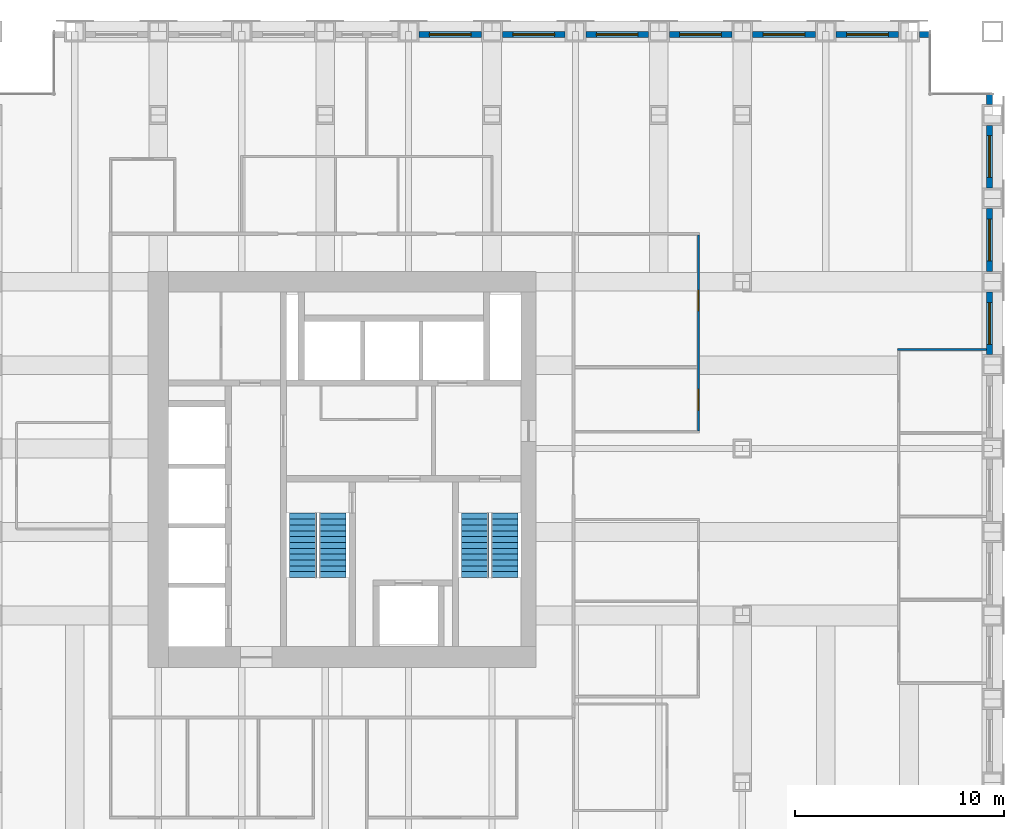
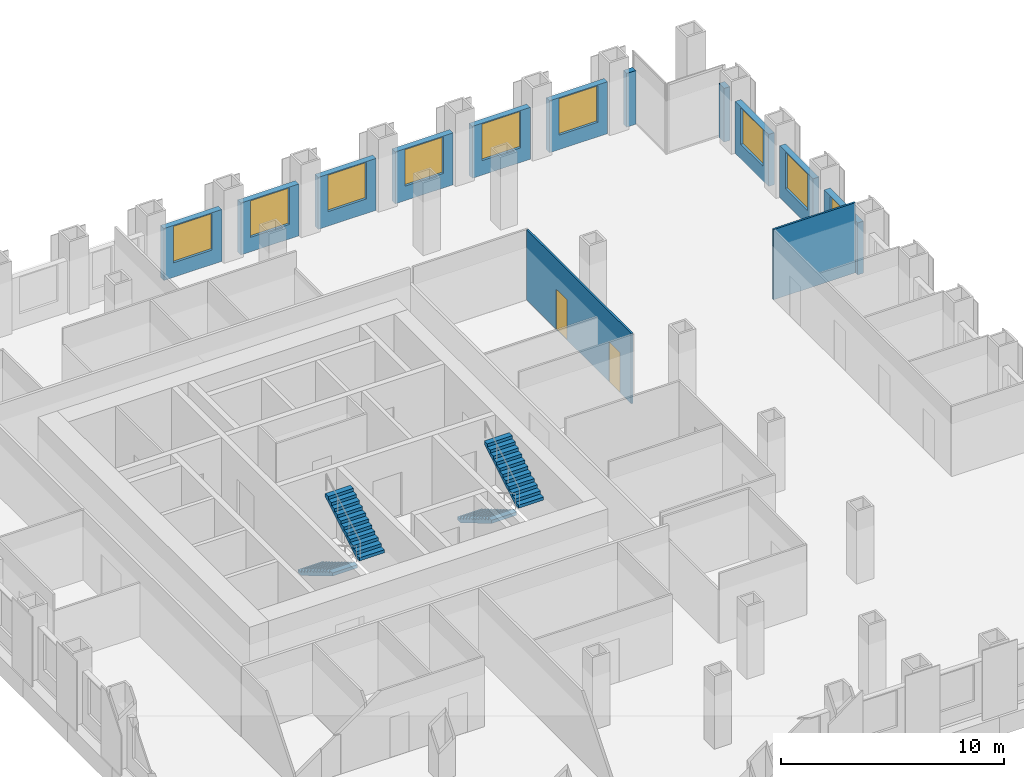
# One storey, part 14 of 16: 13 walls, 9 windows, 4 stair flights, 2 doors, 11 openings, 2 elements without a shape of their own.
"""IFC4 building model written with IfcOpenShell, lengths in metres."""

from ifc_helpers import new_model, si_unit, direction, frame, frame_2d, origin, place, context, subcontext, project, spatial, polyline, rectangle, outline, extrude, material, layer, layer_set, type_object, element, fill, aggregate, save


model = new_model("IFC4")

# Units and contexts
model_context = context("Model", 3, precision=1e-05, world=origin(), true_north=direction((0.0, 1.0)))
body_context = subcontext(model_context, "Body", "Model", "MODEL_VIEW")
ifc_project = project(units=[si_unit("LENGTHUNIT", "METRE"), si_unit("AREAUNIT", "SQUARE_METRE"), si_unit("VOLUMEUNIT", "CUBIC_METRE"), si_unit("PLANEANGLEUNIT", "RADIAN"), si_unit("MASSUNIT", "GRAM", prefix="KILO")], contexts=[model_context])

# Site, building, storey
site_placement = place(None, origin())
site = spatial("IfcSite", under=ifc_project, at=site_placement, CompositionType="ELEMENT")
building_placement = place(site_placement, origin())
building = spatial("IfcBuilding", under=site, at=building_placement, Name="Rimbunsela Tower", CompositionType="ELEMENT")
storey_placement = place(building_placement, frame((0.0, 0.0, 89.39990234375)))
storey = spatial("IfcBuildingStorey", under=building, at=storey_placement, Name="L21", CompositionType="ELEMENT", Elevation=89.39990234375)

# Wall
ifc_material_1 = material(Name="Gypsum board on steel studs", Category="steel")
ifc_layer_1 = layer(ifc_material_1, 0.10009765625)
ifc_layer_set_1 = layer_set([ifc_layer_1], Name="Office partition 100")
wall_type_1 = type_object("IfcWallType", Name="Office partition 100", PredefinedType="PARTITIONING", material=ifc_layer_set_1)
wall_1_placement = place(storey_placement, frame((53.449951171875, 32.75, 0.0), z_axis=(0.0, 0.0, 1.0), x_axis=(1.0, 0.0, 0.0)))
element("IfcWall", 1, at=wall_1_placement, inside=storey, type_object=wall_type_1, Name="Office partition", PredefinedType="PARTITIONING", context=body_context, shape_type="SweptSolid", body=[
    extrude(rectangle(XDim=4.25, YDim=0.10009765625, at=frame_2d((2.125, 0.0))), origin(), (0.0, 0.0, 1.0), 3.85009765625),
])

# Wall, openings, doors
wall_2_placement = place(storey_placement, frame((43.89990234375, 28.85009765625, 0.0), z_axis=(0.0, 0.0, 1.0), x_axis=(0.0, 1.0, 0.0)))
wall_2 = element("IfcWall", 2, at=wall_2_placement, inside=storey, type_object=wall_type_1, Name="Office partition", PredefinedType="PARTITIONING", context=body_context, shape_type="SweptSolid", body=[
    extrude(rectangle(XDim=9.39990234375, YDim=0.10009765625, at=frame_2d((4.699951171875, 0.0))), origin(), (0.0, 0.0, 1.0), 3.85009765625),
])
opening_1_placement = place(wall_2_placement, frame((1.0, 0.0, 0.0)))
opening_1 = element("IfcOpeningElement", 3, at=opening_1_placement, cuts=wall_2, Name="Opening D16", PredefinedType="OPENING", context=body_context, shape_type="SweptSolid", body=[
    extrude(rectangle(XDim=1.0, YDim=2.199951171875, at=frame_2d((0.5, 1.10009765625))), frame((0.0, 0.06005859375, 0.0), z_axis=(0.0, -1.0, 0.0), x_axis=(1.0, 0.0, 0.0)), (0.0, 0.0, 1.0), 0.1201171875),
])
opening_2_placement = place(wall_2_placement, frame((5.75, 0.0, 0.0)))
opening_2 = element("IfcOpeningElement", 4, at=opening_2_placement, cuts=wall_2, Name="Opening D17", PredefinedType="OPENING", context=body_context, shape_type="SweptSolid", body=[
    extrude(rectangle(XDim=1.0, YDim=2.199951171875, at=frame_2d((0.5, 1.10009765625))), frame((0.0, 0.06005859375, 0.0), z_axis=(0.0, -1.0, 0.0), x_axis=(1.0, 0.0, 0.0)), (0.0, 0.0, 1.0), 0.1201171875),
])
ifc_material_2 = material(Name="Glazed aluminium door", Category="aluminium")
door_type_1 = type_object("IfcDoorType", Name="Meeting room door 1000 glazed", OperationType="SINGLE_SWING_RIGHT", PredefinedType="DOOR", material=ifc_material_2)
door_1_placement = place(opening_2_placement, origin())
door_1 = element("IfcDoor", 5, at=door_1_placement, inside=storey, type_object=door_type_1, Name="Meeting room door", OperationType="SINGLE_SWING_RIGHT", OverallHeight=2.199951171875, OverallWidth=1.0, PredefinedType="DOOR", context=body_context, shape_type="SweptSolid", body=[
    extrude(rectangle(XDim=1.0, YDim=2.199951171875, at=frame_2d((0.5, 1.10009765625))), frame((0.0, 0.02490234375, 0.0), z_axis=(0.0, -1.0, 0.0), x_axis=(1.0, 0.0, 0.0)), (0.0, 0.0, 1.0), 0.050048828125),
])
fill(opening_2, door_1)
ifc_material_3 = material(Name="Timber door", Category="wood")
door_type_2 = type_object("IfcDoorType", Name="Office door 1000", OperationType="SINGLE_SWING_LEFT", PredefinedType="DOOR", material=ifc_material_3)
door_2_placement = place(opening_1_placement, origin())
door_2 = element("IfcDoor", 6, at=door_2_placement, inside=storey, type_object=door_type_2, Name="Office door", OperationType="SINGLE_SWING_LEFT", OverallHeight=2.199951171875, OverallWidth=1.0, PredefinedType="DOOR", context=body_context, shape_type="SweptSolid", body=[
    extrude(rectangle(XDim=1.0, YDim=2.199951171875, at=frame_2d((0.5, 1.10009765625))), frame((0.0, 0.02490234375, 0.0), z_axis=(0.0, -1.0, 0.0), x_axis=(1.0, 0.0, 0.0)), (0.0, 0.0, 1.0), 0.050048828125),
])
fill(opening_1, door_2)

# Wall, opening, window
ifc_material_4 = material(Name="Precast concrete fc' 35 MPa", Category="concrete")
ifc_layer_2 = layer(ifc_material_4, 0.300048828125)
ifc_layer_set_2 = layer_set([ifc_layer_2], Name="Precast concrete fc' 35 MPa")
wall_type_2 = type_object("IfcWallType", Name="Precast facade panel 300", PredefinedType="ELEMENTEDWALL", material=ifc_layer_set_2)
wall_3_placement = place(storey_placement, frame((57.85009765625, 32.5, 0.0), z_axis=(0.0, 0.0, 1.0), x_axis=(0.0, 1.0, 0.0)))
wall_3 = element("IfcWall", 7, at=wall_3_placement, inside=storey, type_object=wall_type_2, Name="Facade panel E L21", PredefinedType="ELEMENTEDWALL", context=body_context, shape_type="SweptSolid", body=[
    extrude(rectangle(XDim=3.0, YDim=0.300048828125, at=frame_2d((1.5, 0.0))), origin(), (0.0, 0.0, 1.0), 2.85009765625),
])
opening_3_placement = place(wall_3_placement, frame((0.5, 0.0, 0.800048828125)))
opening_3 = element("IfcOpeningElement", 8, at=opening_3_placement, cuts=wall_3, Name="Opening W1", PredefinedType="OPENING", context=body_context, shape_type="SweptSolid", body=[
    extrude(rectangle(XDim=2.0, YDim=2.0, at=frame_2d((1.0, 1.0))), frame((0.0, 0.159912109375, 0.0), z_axis=(0.0, -1.0, 0.0), x_axis=(1.0, 0.0, 0.0)), (0.0, 0.0, 1.0), 0.320068359375),
])
ifc_material_5 = material(Name="Clear glass in aluminium frame", Category="aluminium")
window_type = type_object("IfcWindowType", Name="Window W1 2000x2000", PartitioningType="DOUBLE_PANEL_VERTICAL", PredefinedType="WINDOW", material=ifc_material_5)
window_1_placement = place(opening_3_placement, origin())
window_1 = element("IfcWindow", 9, at=window_1_placement, inside=storey, type_object=window_type, Name="Window L21", OverallHeight=2.0, OverallWidth=2.0, PartitioningType="SINGLE_PANEL", PredefinedType="WINDOW", context=body_context, shape_type="SweptSolid", body=[
    extrude(rectangle(XDim=2.0, YDim=2.0, at=frame_2d((1.0, 1.0))), frame((0.0, 0.030029296875, 0.0), z_axis=(0.0, -1.0, 0.0), x_axis=(1.0, 0.0, 0.0)), (0.0, 0.0, 1.0), 0.06005859375),
])
fill(opening_3, window_1)

wall_4_placement = place(storey_placement, frame((57.85009765625, 36.5, 0.0), z_axis=(0.0, 0.0, 1.0), x_axis=(0.0, 1.0, 0.0)))
wall_4 = element("IfcWall", 10, at=wall_4_placement, inside=storey, type_object=wall_type_2, Name="Facade panel E L21", PredefinedType="ELEMENTEDWALL", context=body_context, shape_type="SweptSolid", body=[
    extrude(rectangle(XDim=3.0, YDim=0.300048828125, at=frame_2d((1.5, 0.0))), origin(), (0.0, 0.0, 1.0), 2.85009765625),
])
opening_4_placement = place(wall_4_placement, frame((0.5, 0.0, 0.800048828125)))
opening_4 = element("IfcOpeningElement", 11, at=opening_4_placement, cuts=wall_4, Name="Opening W1", PredefinedType="OPENING", context=body_context, shape_type="SweptSolid", body=[
    extrude(rectangle(XDim=2.0, YDim=2.0, at=frame_2d((1.0, 1.0))), frame((0.0, 0.159912109375, 0.0), z_axis=(0.0, -1.0, 0.0), x_axis=(1.0, 0.0, 0.0)), (0.0, 0.0, 1.0), 0.320068359375),
])
window_2_placement = place(opening_4_placement, origin())
window_2 = element("IfcWindow", 12, at=window_2_placement, inside=storey, type_object=window_type, Name="Window L21", OverallHeight=2.0, OverallWidth=2.0, PartitioningType="SINGLE_PANEL", PredefinedType="WINDOW", context=body_context, shape_type="SweptSolid", body=[
    extrude(rectangle(XDim=2.0, YDim=2.0, at=frame_2d((1.0, 1.0))), frame((0.0, 0.030029296875, 0.0), z_axis=(0.0, -1.0, 0.0), x_axis=(1.0, 0.0, 0.0)), (0.0, 0.0, 1.0), 0.06005859375),
])
fill(opening_4, window_2)

wall_5_placement = place(storey_placement, frame((57.85009765625, 40.5, 0.0), z_axis=(0.0, 0.0, 1.0), x_axis=(0.0, 1.0, 0.0)))
wall_5 = element("IfcWall", 13, at=wall_5_placement, inside=storey, type_object=wall_type_2, Name="Facade panel E L21", PredefinedType="ELEMENTEDWALL", context=body_context, shape_type="SweptSolid", body=[
    extrude(rectangle(XDim=3.0, YDim=0.300048828125, at=frame_2d((1.5, 0.0))), origin(), (0.0, 0.0, 1.0), 2.85009765625),
])
opening_5_placement = place(wall_5_placement, frame((0.5, 0.0, 0.800048828125)))
opening_5 = element("IfcOpeningElement", 14, at=opening_5_placement, cuts=wall_5, Name="Opening W1", PredefinedType="OPENING", context=body_context, shape_type="SweptSolid", body=[
    extrude(rectangle(XDim=2.0, YDim=2.0, at=frame_2d((1.0, 1.0))), frame((0.0, 0.159912109375, 0.0), z_axis=(0.0, -1.0, 0.0), x_axis=(1.0, 0.0, 0.0)), (0.0, 0.0, 1.0), 0.320068359375),
])
window_3_placement = place(opening_5_placement, origin())
window_3 = element("IfcWindow", 15, at=window_3_placement, inside=storey, type_object=window_type, Name="Window L21", OverallHeight=2.0, OverallWidth=2.0, PartitioningType="SINGLE_PANEL", PredefinedType="WINDOW", context=body_context, shape_type="SweptSolid", body=[
    extrude(rectangle(XDim=2.0, YDim=2.0, at=frame_2d((1.0, 1.0))), frame((0.0, 0.030029296875, 0.0), z_axis=(0.0, -1.0, 0.0), x_axis=(1.0, 0.0, 0.0)), (0.0, 0.0, 1.0), 0.06005859375),
])
fill(opening_5, window_3)

# Wall
wall_6_placement = place(storey_placement, frame((57.85009765625, 44.5, 0.0), z_axis=(0.0, 0.0, 1.0), x_axis=(0.0, 1.0, 0.0)))
element("IfcWall", 16, at=wall_6_placement, inside=storey, type_object=wall_type_2, Name="Facade panel E L21", PredefinedType="ELEMENTEDWALL", context=body_context, shape_type="SweptSolid", body=[
    extrude(rectangle(XDim=0.469970703125, YDim=0.300048828125, at=frame_2d((0.23486328125, 0.0))), origin(), (0.0, 0.0, 1.0), 2.9501953125),
])

# Wall, opening, window
wall_7_placement = place(storey_placement, frame((33.5, 47.85009765625, 0.0), z_axis=(0.0, 0.0, 1.0), x_axis=(-1.0, 0.0, 0.0)))
wall_7 = element("IfcWall", 17, at=wall_7_placement, inside=storey, type_object=wall_type_2, Name="Facade panel N L21", PredefinedType="ELEMENTEDWALL", context=body_context, shape_type="SweptSolid", body=[
    extrude(rectangle(XDim=3.0, YDim=0.300048828125, at=frame_2d((1.5, 0.0))), origin(), (0.0, 0.0, 1.0), 2.85009765625),
])
opening_6_placement = place(wall_7_placement, frame((0.5, 0.0, 0.800048828125)))
opening_6 = element("IfcOpeningElement", 18, at=opening_6_placement, cuts=wall_7, Name="Opening W1", PredefinedType="OPENING", context=body_context, shape_type="SweptSolid", body=[
    extrude(rectangle(XDim=2.0, YDim=2.0, at=frame_2d((1.0, 1.0))), frame((0.0, 0.159912109375, 0.0), z_axis=(0.0, -1.0, 0.0), x_axis=(1.0, 0.0, 0.0)), (0.0, 0.0, 1.0), 0.320068359375),
])
window_4_placement = place(opening_6_placement, origin())
window_4 = element("IfcWindow", 19, at=window_4_placement, inside=storey, type_object=window_type, Name="Window L21", OverallHeight=2.0, OverallWidth=2.0, PartitioningType="SINGLE_PANEL", PredefinedType="WINDOW", context=body_context, shape_type="SweptSolid", body=[
    extrude(rectangle(XDim=2.0, YDim=2.0, at=frame_2d((1.0, 1.0))), frame((0.0, 0.030029296875, 0.0), z_axis=(0.0, -1.0, 0.0), x_axis=(1.0, 0.0, 0.0)), (0.0, 0.0, 1.0), 0.06005859375),
])
fill(opening_6, window_4)

wall_8_placement = place(storey_placement, frame((37.5, 47.85009765625, 0.0), z_axis=(0.0, 0.0, 1.0), x_axis=(-1.0, 0.0, 0.0)))
wall_8 = element("IfcWall", 20, at=wall_8_placement, inside=storey, type_object=wall_type_2, Name="Facade panel N L21", PredefinedType="ELEMENTEDWALL", context=body_context, shape_type="SweptSolid", body=[
    extrude(rectangle(XDim=3.0, YDim=0.300048828125, at=frame_2d((1.5, 0.0))), origin(), (0.0, 0.0, 1.0), 2.85009765625),
])
opening_7_placement = place(wall_8_placement, frame((0.5, 0.0, 0.800048828125)))
opening_7 = element("IfcOpeningElement", 21, at=opening_7_placement, cuts=wall_8, Name="Opening W1", PredefinedType="OPENING", context=body_context, shape_type="SweptSolid", body=[
    extrude(rectangle(XDim=2.0, YDim=2.0, at=frame_2d((1.0, 1.0))), frame((0.0, 0.159912109375, 0.0), z_axis=(0.0, -1.0, 0.0), x_axis=(1.0, 0.0, 0.0)), (0.0, 0.0, 1.0), 0.320068359375),
])
window_5_placement = place(opening_7_placement, origin())
window_5 = element("IfcWindow", 22, at=window_5_placement, inside=storey, type_object=window_type, Name="Window L21", OverallHeight=2.0, OverallWidth=2.0, PartitioningType="SINGLE_PANEL", PredefinedType="WINDOW", context=body_context, shape_type="SweptSolid", body=[
    extrude(rectangle(XDim=2.0, YDim=2.0, at=frame_2d((1.0, 1.0))), frame((0.0, 0.030029296875, 0.0), z_axis=(0.0, -1.0, 0.0), x_axis=(1.0, 0.0, 0.0)), (0.0, 0.0, 1.0), 0.06005859375),
])
fill(opening_7, window_5)

wall_9_placement = place(storey_placement, frame((41.5, 47.85009765625, 0.0), z_axis=(0.0, 0.0, 1.0), x_axis=(-1.0, 0.0, 0.0)))
wall_9 = element("IfcWall", 23, at=wall_9_placement, inside=storey, type_object=wall_type_2, Name="Facade panel N L21", PredefinedType="ELEMENTEDWALL", context=body_context, shape_type="SweptSolid", body=[
    extrude(rectangle(XDim=3.0, YDim=0.300048828125, at=frame_2d((1.5, 0.0))), origin(), (0.0, 0.0, 1.0), 2.85009765625),
])
opening_8_placement = place(wall_9_placement, frame((0.5, 0.0, 0.800048828125)))
opening_8 = element("IfcOpeningElement", 24, at=opening_8_placement, cuts=wall_9, Name="Opening W1", PredefinedType="OPENING", context=body_context, shape_type="SweptSolid", body=[
    extrude(rectangle(XDim=2.0, YDim=2.0, at=frame_2d((1.0, 1.0))), frame((0.0, 0.159912109375, 0.0), z_axis=(0.0, -1.0, 0.0), x_axis=(1.0, 0.0, 0.0)), (0.0, 0.0, 1.0), 0.320068359375),
])
window_6_placement = place(opening_8_placement, origin())
window_6 = element("IfcWindow", 25, at=window_6_placement, inside=storey, type_object=window_type, Name="Window L21", OverallHeight=2.0, OverallWidth=2.0, PartitioningType="SINGLE_PANEL", PredefinedType="WINDOW", context=body_context, shape_type="SweptSolid", body=[
    extrude(rectangle(XDim=2.0, YDim=2.0, at=frame_2d((1.0, 1.0))), frame((0.0, 0.030029296875, 0.0), z_axis=(0.0, -1.0, 0.0), x_axis=(1.0, 0.0, 0.0)), (0.0, 0.0, 1.0), 0.06005859375),
])
fill(opening_8, window_6)

wall_10_placement = place(storey_placement, frame((45.5, 47.85009765625, 0.0), z_axis=(0.0, 0.0, 1.0), x_axis=(-1.0, 0.0, 0.0)))
wall_10 = element("IfcWall", 26, at=wall_10_placement, inside=storey, type_object=wall_type_2, Name="Facade panel N L21", PredefinedType="ELEMENTEDWALL", context=body_context, shape_type="SweptSolid", body=[
    extrude(rectangle(XDim=3.0, YDim=0.300048828125, at=frame_2d((1.5, 0.0))), origin(), (0.0, 0.0, 1.0), 2.85009765625),
])
opening_9_placement = place(wall_10_placement, frame((0.5, 0.0, 0.800048828125)))
opening_9 = element("IfcOpeningElement", 27, at=opening_9_placement, cuts=wall_10, Name="Opening W1", PredefinedType="OPENING", context=body_context, shape_type="SweptSolid", body=[
    extrude(rectangle(XDim=2.0, YDim=2.0, at=frame_2d((1.0, 1.0))), frame((0.0, 0.159912109375, 0.0), z_axis=(0.0, -1.0, 0.0), x_axis=(1.0, 0.0, 0.0)), (0.0, 0.0, 1.0), 0.320068359375),
])
window_7_placement = place(opening_9_placement, origin())
window_7 = element("IfcWindow", 28, at=window_7_placement, inside=storey, type_object=window_type, Name="Window L21", OverallHeight=2.0, OverallWidth=2.0, PartitioningType="SINGLE_PANEL", PredefinedType="WINDOW", context=body_context, shape_type="SweptSolid", body=[
    extrude(rectangle(XDim=2.0, YDim=2.0, at=frame_2d((1.0, 1.0))), frame((0.0, 0.030029296875, 0.0), z_axis=(0.0, -1.0, 0.0), x_axis=(1.0, 0.0, 0.0)), (0.0, 0.0, 1.0), 0.06005859375),
])
fill(opening_9, window_7)

wall_11_placement = place(storey_placement, frame((49.5, 47.85009765625, 0.0), z_axis=(0.0, 0.0, 1.0), x_axis=(-1.0, 0.0, 0.0)))
wall_11 = element("IfcWall", 29, at=wall_11_placement, inside=storey, type_object=wall_type_2, Name="Facade panel N L21", PredefinedType="ELEMENTEDWALL", context=body_context, shape_type="SweptSolid", body=[
    extrude(rectangle(XDim=3.0, YDim=0.300048828125, at=frame_2d((1.5, 0.0))), origin(), (0.0, 0.0, 1.0), 2.85009765625),
])
opening_10_placement = place(wall_11_placement, frame((0.5, 0.0, 0.800048828125)))
opening_10 = element("IfcOpeningElement", 30, at=opening_10_placement, cuts=wall_11, Name="Opening W1", PredefinedType="OPENING", context=body_context, shape_type="SweptSolid", body=[
    extrude(rectangle(XDim=2.0, YDim=2.0, at=frame_2d((1.0, 1.0))), frame((0.0, 0.159912109375, 0.0), z_axis=(0.0, -1.0, 0.0), x_axis=(1.0, 0.0, 0.0)), (0.0, 0.0, 1.0), 0.320068359375),
])
window_8_placement = place(opening_10_placement, origin())
window_8 = element("IfcWindow", 31, at=window_8_placement, inside=storey, type_object=window_type, Name="Window L21", OverallHeight=2.0, OverallWidth=2.0, PartitioningType="SINGLE_PANEL", PredefinedType="WINDOW", context=body_context, shape_type="SweptSolid", body=[
    extrude(rectangle(XDim=2.0, YDim=2.0, at=frame_2d((1.0, 1.0))), frame((0.0, 0.030029296875, 0.0), z_axis=(0.0, -1.0, 0.0), x_axis=(1.0, 0.0, 0.0)), (0.0, 0.0, 1.0), 0.06005859375),
])
fill(opening_10, window_8)

wall_12_placement = place(storey_placement, frame((53.5, 47.85009765625, 0.0), z_axis=(0.0, 0.0, 1.0), x_axis=(-1.0, 0.0, 0.0)))
wall_12 = element("IfcWall", 32, at=wall_12_placement, inside=storey, type_object=wall_type_2, Name="Facade panel N L21", PredefinedType="ELEMENTEDWALL", context=body_context, shape_type="SweptSolid", body=[
    extrude(rectangle(XDim=3.0, YDim=0.300048828125, at=frame_2d((1.5, 0.0))), origin(), (0.0, 0.0, 1.0), 2.85009765625),
])
opening_11_placement = place(wall_12_placement, frame((0.5, 0.0, 0.800048828125)))
opening_11 = element("IfcOpeningElement", 33, at=opening_11_placement, cuts=wall_12, Name="Opening W1", PredefinedType="OPENING", context=body_context, shape_type="SweptSolid", body=[
    extrude(rectangle(XDim=2.0, YDim=2.0, at=frame_2d((1.0, 1.0))), frame((0.0, 0.159912109375, 0.0), z_axis=(0.0, -1.0, 0.0), x_axis=(1.0, 0.0, 0.0)), (0.0, 0.0, 1.0), 0.320068359375),
])
window_9_placement = place(opening_11_placement, origin())
window_9 = element("IfcWindow", 34, at=window_9_placement, inside=storey, type_object=window_type, Name="Window L21", OverallHeight=2.0, OverallWidth=2.0, PartitioningType="SINGLE_PANEL", PredefinedType="WINDOW", context=body_context, shape_type="SweptSolid", body=[
    extrude(rectangle(XDim=2.0, YDim=2.0, at=frame_2d((1.0, 1.0))), frame((0.0, 0.030029296875, 0.0), z_axis=(0.0, -1.0, 0.0), x_axis=(1.0, 0.0, 0.0)), (0.0, 0.0, 1.0), 0.06005859375),
])
fill(opening_11, window_9)

# Wall
wall_13_placement = place(storey_placement, frame((54.969970703125, 47.85009765625, 0.0), z_axis=(0.0, 0.0, 1.0), x_axis=(-1.0, 0.0, 0.0)))
element("IfcWall", 35, at=wall_13_placement, inside=storey, type_object=wall_type_2, Name="Facade panel N L21", PredefinedType="ELEMENTEDWALL", context=body_context, shape_type="SweptSolid", body=[
    extrude(rectangle(XDim=0.469970703125, YDim=0.300048828125, at=frame_2d((0.23486328125, 0.0))), origin(), (0.0, 0.0, 1.0), 2.9501953125),
])

# Stair, stair flights
ifc_material_6 = material(Name="Concrete fc' 35 MPa", Category="concrete")
stair_type = type_object("IfcStairType", Name="Exit stair 24 risers", PredefinedType="HALF_TURN_STAIR", material=ifc_material_6)
stair_1_placement = place(storey_placement, origin())
stair_1 = element("IfcStair", 36, at=stair_1_placement, inside=storey, type_object=stair_type, Name="Exit stair A L21", PredefinedType="HALF_TURN_STAIR")
ifc_material_7 = material(Name="Concrete fc' 35 MPa", Category="concrete")
stair_flight_type = type_object("IfcStairFlightType", Name="Stair flight 12 risers 167", PredefinedType="STRAIGHT", material=ifc_material_7)
stair_flight_1_placement = place(storey_placement, frame((24.949951171875, 24.89990234375, 0.0), z_axis=(0.0, 0.0, 1.0), x_axis=(0.0, -1.0, 0.0)))
stair_flight_1 = element("IfcStairFlight", 37, at=stair_flight_1_placement, type_object=stair_flight_type, Name="ST-A flight 1", NumberOfRisers=12, NumberOfTreads=11, PredefinedType="STRAIGHT", RiserHeight=0.166666667, TreadLength=0.28, context=body_context, shape_type="SweptSolid", body=[
    extrude(outline(polyline([(0.0, 0.0), (0.0, 0.166748046875), (0.280029296875, 0.166748046875), (0.280029296875, 0.333251953125), (0.56005859375, 0.333251953125), (0.56005859375, 0.5), (0.840087890625, 0.5), (0.840087890625, 0.666748046875), (1.1201171875, 0.666748046875), (1.1201171875, 0.833251953125), (1.39990234375, 0.833251953125), (1.39990234375, 1.0), (1.679931640625, 1.0), (1.679931640625, 1.166748046875), (1.9599609375, 1.166748046875), (1.9599609375, 1.333251953125), (2.239990234375, 1.333251953125), (2.239990234375, 1.5), (2.52001953125, 1.5), (2.52001953125, 1.666748046875), (2.800048828125, 1.666748046875), (2.800048828125, 1.833251953125), (3.080078125, 1.833251953125), (3.080078125, 2.0), (3.080078125, 1.658935546875), (0.29296875, 0.0), (0.0, 0.0)])), frame((0.0, 0.64990234375, 0.0), z_axis=(0.0, -1.0, 0.0), x_axis=(1.0, 0.0, 0.0)), (0.0, 0.0, 1.0), 1.300048828125),
])
stair_flight_2_placement = place(storey_placement, frame((26.35009765625, 21.820068359375, 2.0), z_axis=(0.0, 0.0, 1.0), x_axis=(0.0, 1.0, 0.0)))
stair_flight_2 = element("IfcStairFlight", 38, at=stair_flight_2_placement, type_object=stair_flight_type, Name="ST-A flight 2", NumberOfRisers=12, NumberOfTreads=11, PredefinedType="STRAIGHT", RiserHeight=0.166666667, TreadLength=0.28, context=body_context, shape_type="SweptSolid", body=[
    extrude(outline(polyline([(0.0, 0.0), (0.0, 0.166748046875), (0.280029296875, 0.166748046875), (0.280029296875, 0.333251953125), (0.56005859375, 0.333251953125), (0.56005859375, 0.5), (0.840087890625, 0.5), (0.840087890625, 0.666748046875), (1.1201171875, 0.666748046875), (1.1201171875, 0.833251953125), (1.39990234375, 0.833251953125), (1.39990234375, 1.0), (1.679931640625, 1.0), (1.679931640625, 1.166748046875), (1.9599609375, 1.166748046875), (1.9599609375, 1.333251953125), (2.239990234375, 1.333251953125), (2.239990234375, 1.5), (2.52001953125, 1.5), (2.52001953125, 1.666748046875), (2.800048828125, 1.666748046875), (2.800048828125, 1.833251953125), (3.080078125, 1.833251953125), (3.080078125, 2.0), (3.080078125, 1.658935546875), (0.29296875, 0.0), (0.0, 0.0)])), frame((0.0, 0.64990234375, 0.0), z_axis=(0.0, -1.0, 0.0), x_axis=(1.0, 0.0, 0.0)), (0.0, 0.0, 1.0), 1.300048828125),
])
aggregate(stair_1, [stair_flight_1, stair_flight_2])

stair_2_placement = place(storey_placement, origin())
stair_2 = element("IfcStair", 39, at=stair_2_placement, inside=storey, type_object=stair_type, Name="Exit stair B L21", PredefinedType="HALF_TURN_STAIR")
stair_flight_3_placement = place(storey_placement, frame((33.199951171875, 24.89990234375, 0.0), z_axis=(0.0, 0.0, 1.0), x_axis=(0.0, -1.0, 0.0)))
stair_flight_3 = element("IfcStairFlight", 40, at=stair_flight_3_placement, type_object=stair_flight_type, Name="ST-B flight 1", NumberOfRisers=12, NumberOfTreads=11, PredefinedType="STRAIGHT", RiserHeight=0.166666667, TreadLength=0.28, context=body_context, shape_type="SweptSolid", body=[
    extrude(outline(polyline([(0.0, 0.0), (0.0, 0.166748046875), (0.280029296875, 0.166748046875), (0.280029296875, 0.333251953125), (0.56005859375, 0.333251953125), (0.56005859375, 0.5), (0.840087890625, 0.5), (0.840087890625, 0.666748046875), (1.1201171875, 0.666748046875), (1.1201171875, 0.833251953125), (1.39990234375, 0.833251953125), (1.39990234375, 1.0), (1.679931640625, 1.0), (1.679931640625, 1.166748046875), (1.9599609375, 1.166748046875), (1.9599609375, 1.333251953125), (2.239990234375, 1.333251953125), (2.239990234375, 1.5), (2.52001953125, 1.5), (2.52001953125, 1.666748046875), (2.800048828125, 1.666748046875), (2.800048828125, 1.833251953125), (3.080078125, 1.833251953125), (3.080078125, 2.0), (3.080078125, 1.658935546875), (0.29296875, 0.0), (0.0, 0.0)])), frame((0.0, 0.64990234375, 0.0), z_axis=(0.0, -1.0, 0.0), x_axis=(1.0, 0.0, 0.0)), (0.0, 0.0, 1.0), 1.300048828125),
])
stair_flight_4_placement = place(storey_placement, frame((34.60009765625, 21.820068359375, 2.0), z_axis=(0.0, 0.0, 1.0), x_axis=(0.0, 1.0, 0.0)))
stair_flight_4 = element("IfcStairFlight", 41, at=stair_flight_4_placement, type_object=stair_flight_type, Name="ST-B flight 2", NumberOfRisers=12, NumberOfTreads=11, PredefinedType="STRAIGHT", RiserHeight=0.166666667, TreadLength=0.28, context=body_context, shape_type="SweptSolid", body=[
    extrude(outline(polyline([(0.0, 0.0), (0.0, 0.166748046875), (0.280029296875, 0.166748046875), (0.280029296875, 0.333251953125), (0.56005859375, 0.333251953125), (0.56005859375, 0.5), (0.840087890625, 0.5), (0.840087890625, 0.666748046875), (1.1201171875, 0.666748046875), (1.1201171875, 0.833251953125), (1.39990234375, 0.833251953125), (1.39990234375, 1.0), (1.679931640625, 1.0), (1.679931640625, 1.166748046875), (1.9599609375, 1.166748046875), (1.9599609375, 1.333251953125), (2.239990234375, 1.333251953125), (2.239990234375, 1.5), (2.52001953125, 1.5), (2.52001953125, 1.666748046875), (2.800048828125, 1.666748046875), (2.800048828125, 1.833251953125), (3.080078125, 1.833251953125), (3.080078125, 2.0), (3.080078125, 1.658935546875), (0.29296875, 0.0), (0.0, 0.0)])), frame((0.0, 0.64990234375, 0.0), z_axis=(0.0, -1.0, 0.0), x_axis=(1.0, 0.0, 0.0)), (0.0, 0.0, 1.0), 1.300048828125),
])
aggregate(stair_2, [stair_flight_3, stair_flight_4])

save(model, "model.ifc")
